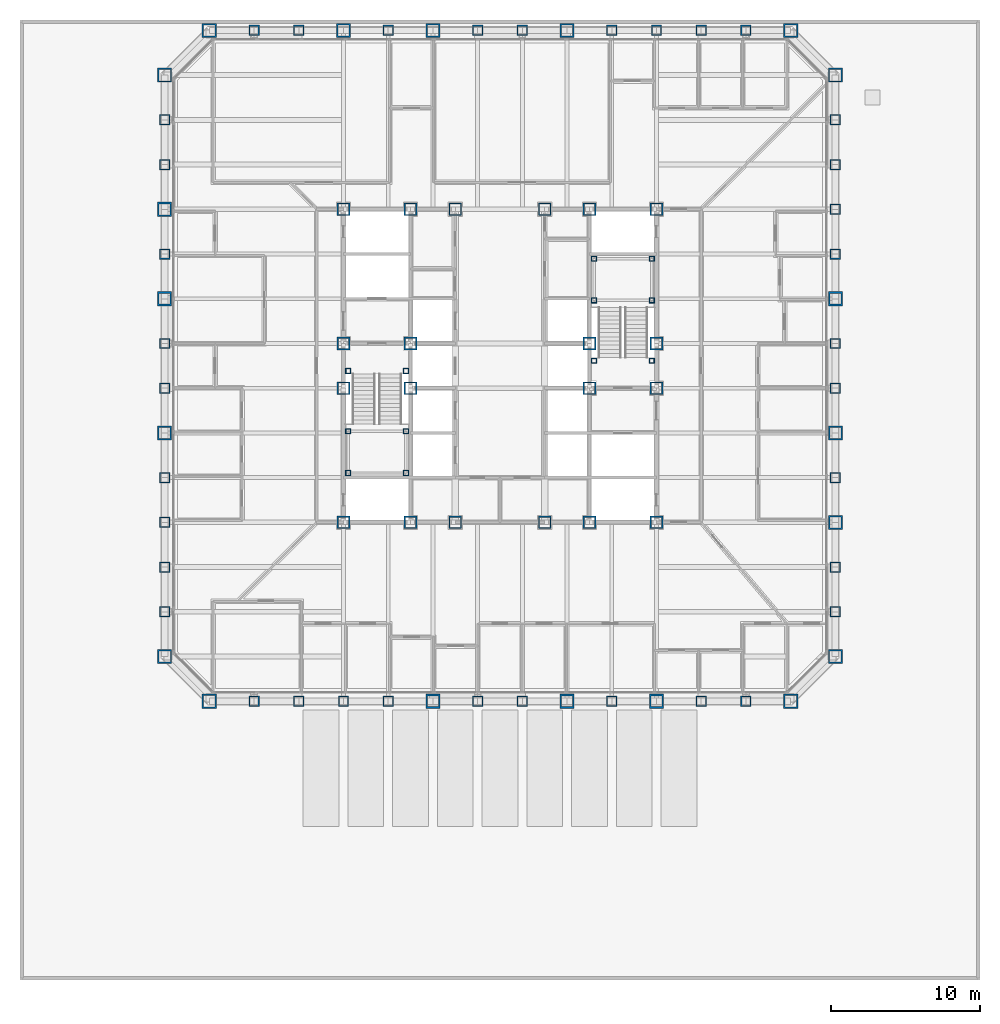
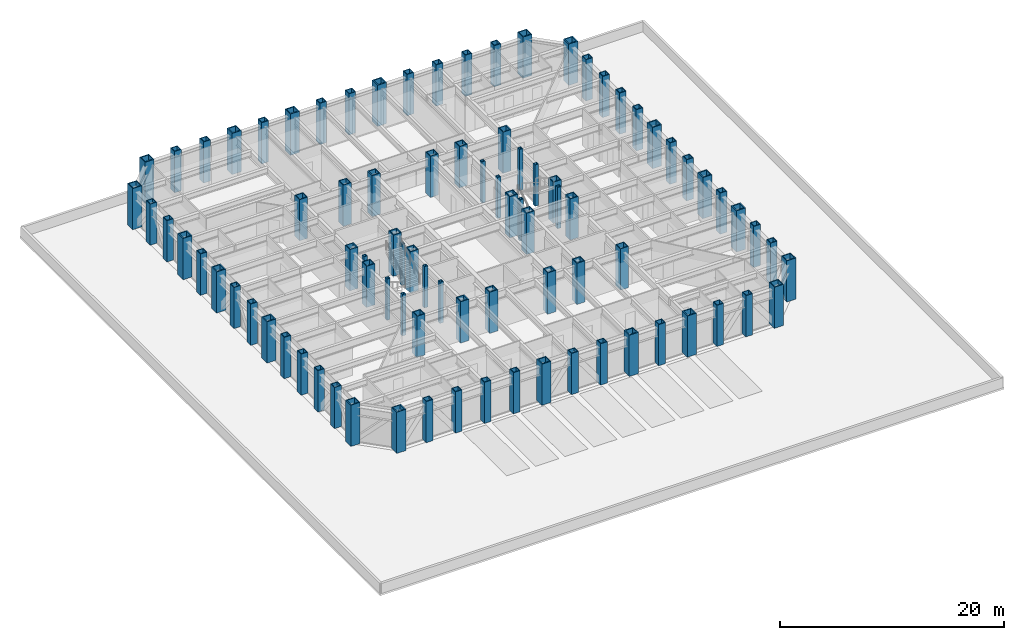
# One storey, part 1 of 18: 88 columns.
"""IFC4 building model written with IfcOpenShell, lengths in metres."""

from ifc_helpers import new_model, si_unit, direction, frame, origin, origin_2d, place, context, subcontext, project, spatial, hollow_rectangle, extrude, material, material_profile, profile_set, type_object, element, save


model = new_model("IFC4")

# Units and contexts
model_context = context("Model", 3, precision=1e-05, world=origin(), true_north=direction((0.0, 1.0)))
body_context = subcontext(model_context, "Body", "Model", "MODEL_VIEW")
ifc_project = project(units=[si_unit("LENGTHUNIT", "METRE"), si_unit("AREAUNIT", "SQUARE_METRE"), si_unit("VOLUMEUNIT", "CUBIC_METRE"), si_unit("PLANEANGLEUNIT", "RADIAN"), si_unit("MASSUNIT", "GRAM", prefix="KILO")], contexts=[model_context])

# Site, building, storey
site_placement = place(None, origin())
site = spatial("IfcSite", under=ifc_project, at=site_placement, CompositionType="ELEMENT")
building_placement = place(site_placement, origin())
building = spatial("IfcBuilding", under=site, at=building_placement, Name="Chuquiago Exchange Tower", CompositionType="ELEMENT")
storey_placement = place(building_placement, frame((0.0, 0.0, 24.300048828125)))
storey = spatial("IfcBuildingStorey", under=building, at=storey_placement, Name="L04", CompositionType="ELEMENT", Elevation=24.300048828125)

# Columns
ifc_material_1 = material(Name="Steel ASTM A572 Grade 50", Category="steel")
ifc_material_profile_1 = material_profile(ifc_material_1, hollow_rectangle(XDim=0.699951171875, YDim=0.699951171875, WallThickness=0.070068359375, at=origin_2d()), Name="BOX700X700X70")
ifc_profile_set_1 = profile_set([ifc_material_profile_1], Name="Steel ASTM A572 Grade 50")
column_type_1 = type_object("IfcColumnType", Name="C2 BOX700X700X70", PredefinedType="COLUMN", material=ifc_profile_set_1)
for number, where, z_axis, x_axis, name in (
    (1, (6.0, 0.0, 0.0), (0.0, 0.0, 1.0), (0.0, -1.0, 0.0), "COL-L04-6_0"),
    (2, (9.0, 0.0, 0.0), (0.0, 0.0, 1.0), (0.0, -1.0, 0.0), "COL-L04-9_0"),
    (3, (12.0, 0.0, 0.0), (0.0, 0.0, 1.0), (0.0, -1.0, 0.0), "COL-L04-12_0"),
    (4, (15.0, 0.0, 0.0), (0.0, 0.0, 1.0), (0.0, -1.0, 0.0), "COL-L04-15_0"),
    (5, (21.0, 0.0, 0.0), (0.0, 0.0, 1.0), (0.0, -1.0, 0.0), "COL-L04-21_0"),
    (6, (24.0, 0.0, 0.0), (0.0, 0.0, 1.0), (0.0, -1.0, 0.0), "COL-L04-24_0"),
    (7, (30.0, 0.0, 0.0), (0.0, 0.0, 1.0), (0.0, -1.0, 0.0), "COL-L04-30_0"),
    (8, (36.0, 0.0, 0.0), (0.0, 0.0, 1.0), (0.0, -1.0, 0.0), "COL-L04-36_0"),
    (9, (39.0, 0.0, 0.0), (0.0, 0.0, 1.0), (0.0, -1.0, 0.0), "COL-L04-39_0"),
    (10, (45.0, 6.0, 0.0), (0.0, 0.0, 1.0), (1.0, 0.0, 0.0), "COL-L04-45_6"),
    (11, (45.0, 9.0, 0.0), (0.0, 0.0, 1.0), (1.0, 0.0, 0.0), "COL-L04-45_9"),
    (12, (45.0, 15.0, 0.0), (0.0, 0.0, 1.0), (1.0, 0.0, 0.0), "COL-L04-45_15"),
    (13, (45.0, 21.0, 0.0), (0.0, 0.0, 1.0), (1.0, 0.0, 0.0), "COL-L04-45_21"),
    (14, (45.0, 24.0, 0.0), (0.0, 0.0, 1.0), (1.0, 0.0, 0.0), "COL-L04-45_24"),
    (15, (45.0, 30.0, 0.0), (0.0, 0.0, 1.0), (1.0, 0.0, 0.0), "COL-L04-45_30"),
    (16, (45.0, 33.0, 0.0), (0.0, 0.0, 1.0), (1.0, 0.0, 0.0), "COL-L04-45_33"),
    (17, (45.0, 36.0, 0.0), (0.0, 0.0, 1.0), (1.0, 0.0, 0.0), "COL-L04-45_36"),
    (18, (45.0, 39.0, 0.0), (0.0, 0.0, 1.0), (1.0, 0.0, 0.0), "COL-L04-45_39"),
    (19, (39.0, 45.0, 0.0), (0.0, 0.0, 1.0), (0.0, 1.0, 0.0), "COL-L04-39_45"),
    (20, (36.0, 45.0, 0.0), (0.0, 0.0, 1.0), (0.0, 1.0, 0.0), "COL-L04-36_45"),
    (21, (33.0, 45.0, 0.0), (0.0, 0.0, 1.0), (0.0, 1.0, 0.0), "COL-L04-33_45"),
    (22, (30.0, 45.0, 0.0), (0.0, 0.0, 1.0), (0.0, 1.0, 0.0), "COL-L04-30_45"),
    (23, (24.0, 45.0, 0.0), (0.0, 0.0, 1.0), (0.0, 1.0, 0.0), "COL-L04-24_45"),
    (24, (21.0, 45.0, 0.0), (0.0, 0.0, 1.0), (0.0, 1.0, 0.0), "COL-L04-21_45"),
    (25, (15.0, 45.0, 0.0), (0.0, 0.0, 1.0), (0.0, 1.0, 0.0), "COL-L04-15_45"),
    (26, (9.0, 45.0, 0.0), (0.0, 0.0, 1.0), (0.0, 1.0, 0.0), "COL-L04-9_45"),
    (27, (6.0, 45.0, 0.0), (0.0, 0.0, 1.0), (0.0, 1.0, 0.0), "COL-L04-6_45"),
    (28, (0.0, 39.0, 0.0), (0.0, 0.0, 1.0), (-1.0, 0.0, 0.0), "COL-L04-0_39"),
    (29, (0.0, 36.0, 0.0), (0.0, 0.0, 1.0), (-1.0, 0.0, 0.0), "COL-L04-0_36"),
    (30, (0.0, 30.0, 0.0), (0.0, 0.0, 1.0), (-1.0, 0.0, 0.0), "COL-L04-0_30"),
    (31, (0.0, 24.0, 0.0), (0.0, 0.0, 1.0), (-1.0, 0.0, 0.0), "COL-L04-0_24"),
    (32, (0.0, 21.0, 0.0), (0.0, 0.0, 1.0), (-1.0, 0.0, 0.0), "COL-L04-0_21"),
    (33, (0.0, 15.0, 0.0), (0.0, 0.0, 1.0), (-1.0, 0.0, 0.0), "COL-L04-0_15"),
    (34, (0.0, 12.0, 0.0), (0.0, 0.0, 1.0), (-1.0, 0.0, 0.0), "COL-L04-0_12"),
    (35, (0.0, 9.0, 0.0), (0.0, 0.0, 1.0), (-1.0, 0.0, 0.0), "COL-L04-0_9"),
    (36, (0.0, 6.0, 0.0), (0.0, 0.0, 1.0), (-1.0, 0.0, 0.0), "COL-L04-0_6"),
):
    element("IfcColumn", number, at=place(storey_placement, frame(where, z_axis=z_axis, x_axis=x_axis)), inside=storey, type_object=column_type_1, Name=name, PredefinedType="COLUMN", context=body_context, shape_type="SweptSolid", body=[
        extrude(hollow_rectangle(XDim=0.699951171875, YDim=0.699951171875, WallThickness=0.070068359375, at=origin_2d()), origin(), (0.0, 0.0, 1.0), 4.5),
    ])
ifc_material_2 = material(Name="Steel ASTM A572 Grade 50", Category="steel")
ifc_material_profile_2 = material_profile(ifc_material_2, hollow_rectangle(XDim=0.85009765625, YDim=0.85009765625, WallThickness=0.0849609375, at=origin_2d()), Name="BOX850X850X85")
ifc_profile_set_2 = profile_set([ifc_material_profile_2], Name="Steel ASTM A572 Grade 50")
column_type_2 = type_object("IfcColumnType", Name="CC2 BOX850X850X85", PredefinedType="COLUMN", material=ifc_profile_set_2)
for number, where, z_axis, x_axis, name in (
    (37, (16.5, 12.0, 0.0), (0.0, 0.0, 1.0), (1.0, 0.0, 0.0), "CCOL-L04-16.5_12"),
    (38, (19.5, 12.0, 0.0), (0.0, 0.0, 1.0), (1.0, 0.0, 0.0), "CCOL-L04-19.5_12"),
    (39, (25.5, 12.0, 0.0), (0.0, 0.0, 1.0), (1.0, 0.0, 0.0), "CCOL-L04-25.5_12"),
    (40, (28.5, 12.0, 0.0), (0.0, 0.0, 1.0), (1.0, 0.0, 0.0), "CCOL-L04-28.5_12"),
    (41, (16.5, 33.0, 0.0), (0.0, 0.0, 1.0), (1.0, 0.0, 0.0), "CCOL-L04-16.5_33"),
    (42, (19.5, 33.0, 0.0), (0.0, 0.0, 1.0), (1.0, 0.0, 0.0), "CCOL-L04-19.5_33"),
    (43, (25.5, 33.0, 0.0), (0.0, 0.0, 1.0), (1.0, 0.0, 0.0), "CCOL-L04-25.5_33"),
    (44, (28.5, 33.0, 0.0), (0.0, 0.0, 1.0), (1.0, 0.0, 0.0), "CCOL-L04-28.5_33"),
    (45, (12.0, 21.0, 0.0), (0.0, 0.0, 1.0), (1.0, 0.0, 0.0), "CCOL-L04-12_21"),
    (46, (12.0, 24.0, 0.0), (0.0, 0.0, 1.0), (1.0, 0.0, 0.0), "CCOL-L04-12_24"),
    (47, (33.0, 21.0, 0.0), (0.0, 0.0, 1.0), (1.0, 0.0, 0.0), "CCOL-L04-33_21"),
    (48, (33.0, 24.0, 0.0), (0.0, 0.0, 1.0), (1.0, 0.0, 0.0), "CCOL-L04-33_24"),
    (49, (16.5, 21.0, 0.0), (0.0, 0.0, 1.0), (1.0, 0.0, 0.0), "CCOL-L04-16.5_21"),
    (50, (16.5, 24.0, 0.0), (0.0, 0.0, 1.0), (1.0, 0.0, 0.0), "CCOL-L04-16.5_24"),
    (51, (28.5, 21.0, 0.0), (0.0, 0.0, 1.0), (1.0, 0.0, 0.0), "CCOL-L04-28.5_21"),
    (52, (28.5, 24.0, 0.0), (0.0, 0.0, 1.0), (1.0, 0.0, 0.0), "CCOL-L04-28.5_24"),
):
    element("IfcColumn", number, at=place(storey_placement, frame(where, z_axis=z_axis, x_axis=x_axis)), inside=storey, type_object=column_type_2, Name=name, PredefinedType="COLUMN", context=body_context, shape_type="SweptSolid", body=[
        extrude(hollow_rectangle(XDim=0.85009765625, YDim=0.85009765625, WallThickness=0.0849609375, at=origin_2d()), origin(), (0.0, 0.0, 1.0), 4.5),
    ])
ifc_material_3 = material(Name="Steel ASTM A572 Grade 50", Category="steel")
ifc_material_profile_3 = material_profile(ifc_material_3, hollow_rectangle(XDim=0.85009765625, YDim=0.85009765625, WallThickness=0.0849609375, at=origin_2d()), Name="BOX850X850X85")
ifc_profile_set_3 = profile_set([ifc_material_profile_3], Name="Steel ASTM A572 Grade 50")
column_type_3 = type_object("IfcColumnType", Name="CC6 BOX850X850X85", PredefinedType="COLUMN", material=ifc_profile_set_3)
for number, where, z_axis, x_axis, name in (
    (53, (12.0, 12.0, 0.0), (0.0, 0.0, 1.0), (1.0, 0.0, 0.0), "CCOL-L04-12_12"),
    (54, (33.0, 12.0, 0.0), (0.0, 0.0, 1.0), (1.0, 0.0, 0.0), "CCOL-L04-33_12"),
    (55, (12.0, 33.0, 0.0), (0.0, 0.0, 1.0), (1.0, 0.0, 0.0), "CCOL-L04-12_33"),
    (56, (33.0, 33.0, 0.0), (0.0, 0.0, 1.0), (1.0, 0.0, 0.0), "CCOL-L04-33_33"),
):
    element("IfcColumn", number, at=place(storey_placement, frame(where, z_axis=z_axis, x_axis=x_axis)), inside=storey, type_object=column_type_3, Name=name, PredefinedType="COLUMN", context=body_context, shape_type="SweptSolid", body=[
        extrude(hollow_rectangle(XDim=0.85009765625, YDim=0.85009765625, WallThickness=0.0849609375, at=origin_2d()), origin(), (0.0, 0.0, 1.0), 4.5),
    ])
ifc_material_4 = material(Name="Steel ASTM A572 Grade 50", Category="steel")
ifc_material_profile_4 = material_profile(ifc_material_4, hollow_rectangle(XDim=0.949951171875, YDim=0.949951171875, WallThickness=0.094970703125, at=origin_2d()), Name="BOX950X950X95")
ifc_profile_set_4 = profile_set([ifc_material_profile_4], Name="Steel ASTM A572 Grade 50")
column_type_4 = type_object("IfcColumnType", Name="CN1 BOX950X950X95", PredefinedType="COLUMN", material=ifc_profile_set_4)
for number, where, z_axis, x_axis, name in (
    (57, (3.0, 0.0, 0.0), (0.0, 0.0, 1.0), (0.0, -1.0, 0.0), "COL-L04-3_0"),
    (58, (42.0, 0.0, 0.0), (0.0, 0.0, 1.0), (0.0, -1.0, 0.0), "COL-L04-42_0"),
    (59, (45.0, 3.0, 0.0), (0.0, 0.0, 1.0), (1.0, 0.0, 0.0), "COL-L04-45_3"),
    (60, (45.0, 42.0, 0.0), (0.0, 0.0, 1.0), (1.0, 0.0, 0.0), "COL-L04-45_42"),
    (61, (42.0, 45.0, 0.0), (0.0, 0.0, 1.0), (0.0, 1.0, 0.0), "COL-L04-42_45"),
    (62, (3.0, 45.0, 0.0), (0.0, 0.0, 1.0), (0.0, 1.0, 0.0), "COL-L04-3_45"),
    (63, (0.0, 42.0, 0.0), (0.0, 0.0, 1.0), (-1.0, 0.0, 0.0), "COL-L04-0_42"),
    (64, (0.0, 3.0, 0.0), (0.0, 0.0, 1.0), (-1.0, 0.0, 0.0), "COL-L04-0_3"),
):
    element("IfcColumn", number, at=place(storey_placement, frame(where, z_axis=z_axis, x_axis=x_axis)), inside=storey, type_object=column_type_4, Name=name, PredefinedType="COLUMN", context=body_context, shape_type="SweptSolid", body=[
        extrude(hollow_rectangle(XDim=0.949951171875, YDim=0.949951171875, WallThickness=0.094970703125, at=origin_2d()), origin(), (0.0, 0.0, 1.0), 4.5),
    ])
ifc_material_5 = material(Name="Steel ASTM A572 Grade 42", Category="steel")
ifc_material_profile_5 = material_profile(ifc_material_5, hollow_rectangle(XDim=0.949951171875, YDim=0.949951171875, WallThickness=0.110107421875, at=origin_2d()), Name="BOX950X950X110")
ifc_profile_set_5 = profile_set([ifc_material_profile_5], Name="Steel ASTM A572 Grade 42")
column_type_5 = type_object("IfcColumnType", Name="CT1 BOX950X950X110", PredefinedType="COLUMN", material=ifc_profile_set_5)
for number, where, z_axis, x_axis, name in (
    (65, (18.0, 0.0, 0.0), (0.0, 0.0, 1.0), (0.0, -1.0, 0.0), "COL-L04-18_0"),
    (66, (27.0, 0.0, 0.0), (0.0, 0.0, 1.0), (0.0, -1.0, 0.0), "COL-L04-27_0"),
    (67, (33.0, 0.0, 0.0), (0.0, 0.0, 1.0), (0.0, -1.0, 0.0), "COL-L04-33_0"),
    (68, (45.0, 12.0, 0.0), (0.0, 0.0, 1.0), (1.0, 0.0, 0.0), "COL-L04-45_12"),
    (69, (45.0, 18.0, 0.0), (0.0, 0.0, 1.0), (1.0, 0.0, 0.0), "COL-L04-45_18"),
    (70, (45.0, 27.0, 0.0), (0.0, 0.0, 1.0), (1.0, 0.0, 0.0), "COL-L04-45_27"),
    (71, (27.0, 45.0, 0.0), (0.0, 0.0, 1.0), (0.0, 1.0, 0.0), "COL-L04-27_45"),
    (72, (18.0, 45.0, 0.0), (0.0, 0.0, 1.0), (0.0, 1.0, 0.0), "COL-L04-18_45"),
    (73, (12.0, 45.0, 0.0), (0.0, 0.0, 1.0), (0.0, 1.0, 0.0), "COL-L04-12_45"),
    (74, (0.0, 33.0, 0.0), (0.0, 0.0, 1.0), (-1.0, 0.0, 0.0), "COL-L04-0_33"),
    (75, (0.0, 27.0, 0.0), (0.0, 0.0, 1.0), (-1.0, 0.0, 0.0), "COL-L04-0_27"),
    (76, (0.0, 18.0, 0.0), (0.0, 0.0, 1.0), (-1.0, 0.0, 0.0), "COL-L04-0_18"),
):
    element("IfcColumn", number, at=place(storey_placement, frame(where, z_axis=z_axis, x_axis=x_axis)), inside=storey, type_object=column_type_5, Name=name, PredefinedType="COLUMN", context=body_context, shape_type="SweptSolid", body=[
        extrude(hollow_rectangle(XDim=0.949951171875, YDim=0.949951171875, WallThickness=0.110107421875, at=origin_2d()), origin(), (0.0, 0.0, 1.0), 4.5),
    ])
ifc_material_6 = material(Name="Steel ASTM A572 Grade 50", Category="steel")
ifc_material_profile_6 = material_profile(ifc_material_6, hollow_rectangle(XDim=0.35009765625, YDim=0.35009765625, WallThickness=0.034912109375, at=origin_2d()), Name="BOX350X350X35")
ifc_profile_set_6 = profile_set([ifc_material_profile_6], Name="Steel ASTM A572 Grade 50")
column_type_6 = type_object("IfcColumnType", Name="PT3 BOX350X350X35", PredefinedType="COLUMN", material=ifc_profile_set_6)
for number, where, z_axis, x_axis, name in (
    (77, (12.31005859375, 15.31005859375, 0.0), (0.0, 0.0, 1.0), (1.0, 0.0, 0.0), "Stair ST1 L04 landing post"),
    (78, (16.18994140625, 15.31005859375, 0.0), (0.0, 0.0, 1.0), (1.0, 0.0, 0.0), "Stair ST1 L04 landing post"),
    (79, (12.31005859375, 18.110107421875, 0.0), (0.0, 0.0, 1.0), (1.0, 0.0, 0.0), "Stair ST1 L04 landing post"),
    (80, (16.18994140625, 18.110107421875, 0.0), (0.0, 0.0, 1.0), (1.0, 0.0, 0.0), "Stair ST1 L04 landing post"),
    (81, (12.31005859375, 22.14990234375, 0.0), (0.0, 0.0, 1.0), (1.0, 0.0, 0.0), "Stair ST1 L04 landing post"),
    (82, (16.18994140625, 22.14990234375, 0.0), (0.0, 0.0, 1.0), (1.0, 0.0, 0.0), "Stair ST1 L04 landing post"),
    (83, (28.81005859375, 29.68994140625, 0.0), (0.0, 0.0, 1.0), (1.0, 0.0, 0.0), "Stair ST2 L04 landing post"),
    (84, (32.68994140625, 29.68994140625, 0.0), (0.0, 0.0, 1.0), (1.0, 0.0, 0.0), "Stair ST2 L04 landing post"),
    (85, (28.81005859375, 26.889892578125, 0.0), (0.0, 0.0, 1.0), (1.0, 0.0, 0.0), "Stair ST2 L04 landing post"),
    (86, (32.68994140625, 26.889892578125, 0.0), (0.0, 0.0, 1.0), (1.0, 0.0, 0.0), "Stair ST2 L04 landing post"),
    (87, (28.81005859375, 22.85009765625, 0.0), (0.0, 0.0, 1.0), (1.0, 0.0, 0.0), "Stair ST2 L04 landing post"),
    (88, (32.68994140625, 22.85009765625, 0.0), (0.0, 0.0, 1.0), (1.0, 0.0, 0.0), "Stair ST2 L04 landing post"),
):
    element("IfcColumn", number, at=place(storey_placement, frame(where, z_axis=z_axis, x_axis=x_axis)), inside=storey, type_object=column_type_6, Name=name, PredefinedType="COLUMN", context=body_context, shape_type="SweptSolid", body=[
        extrude(hollow_rectangle(XDim=0.35009765625, YDim=0.35009765625, WallThickness=0.034912109375, at=origin_2d()), origin(), (0.0, 0.0, 1.0), 4.5),
    ])

save(model, "model.ifc")
